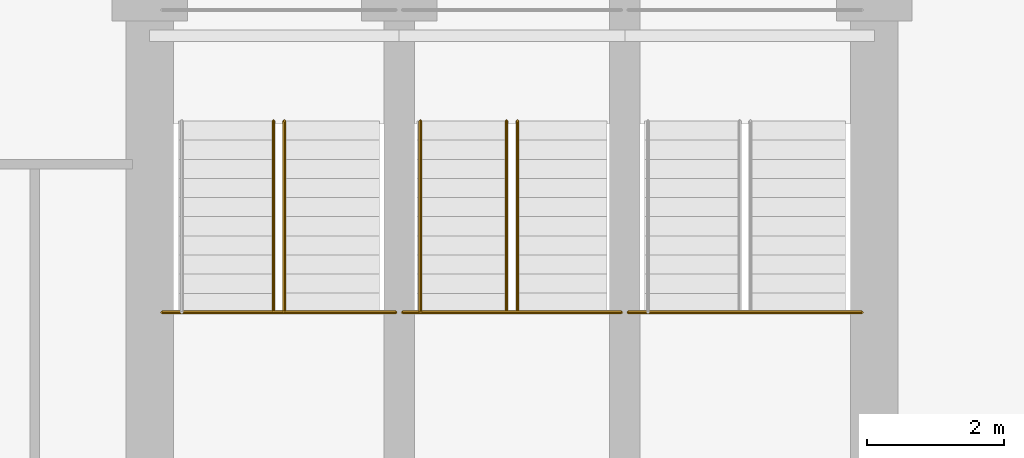
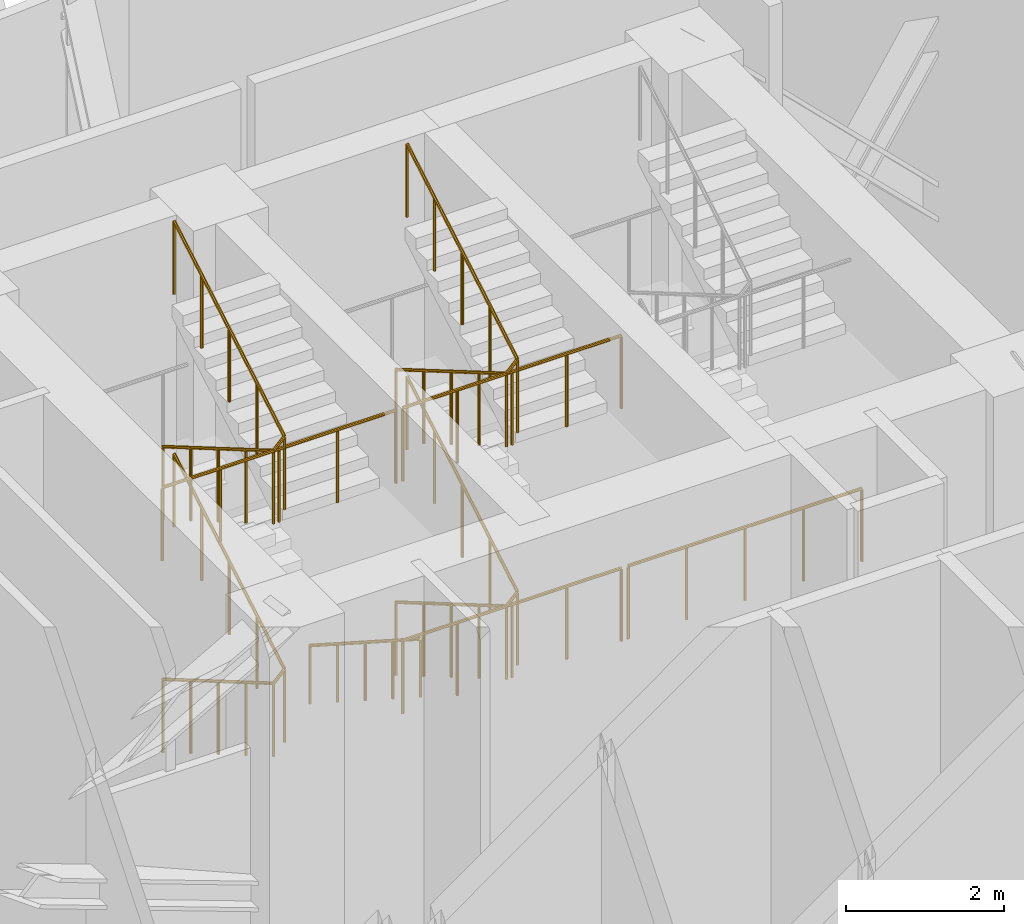
# One storey, part 16 of 19: 9 railings.
"""IFC4 building model written with IfcOpenShell, lengths in metres."""

import ifcopenshell
import ifcopenshell.guid

model = None  # the IFC model being written
_history = None  # IfcOwnerHistory: only IFC2X3 demands one
_inside = {}  # id of a spatial element -> (the spatial element, [elements in it])
_under = {}  # id of a project, library or spatial element -> (it, [spatial elements below it])
_declared = {}  # id of a project -> (the project, [libraries it declares])
_typed = {}  # id of a type object -> (the type object, [elements of that type])
_made_of = {}  # id of a material, layer set ... -> (it, [elements and type objects made of it])


def new_model(schema):
    """Start an empty IFC model of exactly this schema.

    Asked for "IFC4X3", IfcOpenShell would pick the latest addendum, in which some entities
    have other attributes; the version numbers below select the first issue.
    IFC2X3 requires an IfcOwnerHistory on every rooted entity: one is made here for all.
    """
    global model, _history
    if schema == "IFC4X3":
        model = ifcopenshell.file(schema_version=(4, 3, 0, 0))
    else:
        model = ifcopenshell.file(schema=schema)
    _inside.clear()
    _under.clear()
    _declared.clear()
    _typed.clear()
    _made_of.clear()
    _history = None
    if model.schema == "IFC2X3":
        org = make("IfcOrganization", Name="unknown")
        user = make(
            "IfcPersonAndOrganization",
            ThePerson=make("IfcPerson", FamilyName="unknown"),
            TheOrganization=org,
        )
        app = make(
            "IfcApplication",
            ApplicationDeveloper=org,
            Version="unknown",
            ApplicationFullName="unknown",
            ApplicationIdentifier="unknown",
        )
        _history = make(
            "IfcOwnerHistory",
            OwningUser=user,
            OwningApplication=app,
            ChangeAction="ADDED",
            CreationDate=0,
        )
    return model


def make(cls, **values):
    """One entity of the class cls with the attributes given. An attribute that is None is left unset."""
    return model.create_entity(
        cls, **{name: value for name, value in values.items() if value is not None}
    )


def rooted(cls, **values):
    """An entity with a GlobalId (a new one), such as an element, a storey or a relation."""
    return make(cls, GlobalId=ifcopenshell.guid.new(), OwnerHistory=_history, **values)


def si_unit(unit_type, name, prefix=None):
    """IfcSIUnit, for example si_unit("LENGTHUNIT", "METRE", prefix="MILLI")."""
    return make("IfcSIUnit", UnitType=unit_type, Prefix=prefix, Name=name)


def assignment(units):
    """IfcUnitAssignment: the units of a project."""
    return None if units is None else make("IfcUnitAssignment", Units=units)


def point(xyz):
    """IfcCartesianPoint."""
    return None if xyz is None else make("IfcCartesianPoint", Coordinates=xyz)


def direction(xyz):
    """IfcDirection."""
    return None if xyz is None else make("IfcDirection", DirectionRatios=xyz)


def frame(location, z_axis=None, x_axis=None):
    """IfcAxis2Placement3D, a coordinate frame: its origin and axes. An axis left out is left unset."""
    return make(
        "IfcAxis2Placement3D",
        Location=point(location),
        Axis=direction(z_axis),
        RefDirection=direction(x_axis),
    )


def origin():
    """The frame at (0, 0, 0) with its axes left unset."""
    return frame((0.0, 0.0, 0.0))


def place(relative_to, where):
    """IfcLocalPlacement: puts the frame where relative to a parent placement (None: the world)."""
    return make(
        "IfcLocalPlacement", PlacementRelTo=relative_to, RelativePlacement=where
    )


def context(
    kind, dimensions, precision=None, world=None, true_north=None, identifier=None
):
    """IfcGeometricRepresentationContext, for example the 3D "Model" context."""
    return make(
        "IfcGeometricRepresentationContext",
        ContextIdentifier=identifier,
        ContextType=kind,
        CoordinateSpaceDimension=dimensions,
        Precision=precision,
        WorldCoordinateSystem=world,
        TrueNorth=true_north,
    )


def subcontext(parent, identifier, kind, view, scale=None):
    """IfcGeometricRepresentationSubContext, for example "Body" below "Model"."""
    return make(
        "IfcGeometricRepresentationSubContext",
        ContextIdentifier=identifier,
        ContextType=kind,
        ParentContext=parent,
        TargetScale=scale,
        TargetView=view,
    )


def project(units=None, contexts=None):
    """IfcProject with its units and contexts."""
    return rooted(
        "IfcProject",
        Name="project",
        RepresentationContexts=contexts,
        UnitsInContext=assignment(units),
    )


def spatial(cls, under=None, at=None, **own):
    """A site, building, storey or space (cls), placed at a placement, below another one or the project."""
    s = rooted(cls, ObjectPlacement=at, **own)
    if under is not None:
        _under.setdefault(under.id(), (under, []))[1].append(s)
    return s


def polyline(points):
    """IfcPolyline through the points."""
    return make("IfcPolyline", Points=[point(p) for p in points])


def outline(outer, holes=None, kind="AREA"):
    """IfcArbitraryClosedProfileDef: a profile drawn as a closed curve; with holes, ...WithVoids."""
    if holes is None:
        return make("IfcArbitraryClosedProfileDef", ProfileType=kind, OuterCurve=outer)
    return make(
        "IfcArbitraryProfileDefWithVoids",
        ProfileType=kind,
        OuterCurve=outer,
        InnerCurves=holes,
    )


def extrude(swept, where, along, depth):
    """IfcExtrudedAreaSolid: the profile swept, set in the frame where, extruded along a direction by depth."""
    return make(
        "IfcExtrudedAreaSolid",
        SweptArea=swept,
        Position=where,
        ExtrudedDirection=direction(along),
        Depth=depth,
    )


def shape(context_of_items, identifier, shape_type, items):
    """IfcShapeRepresentation: the items that make up one representation, for example the "Body"."""
    return make(
        "IfcShapeRepresentation",
        ContextOfItems=context_of_items,
        RepresentationIdentifier=identifier,
        RepresentationType=shape_type,
        Items=items,
    )


def material(Name=None, Category=None):
    """IfcMaterial."""
    return make("IfcMaterial", Name=Name, Category=Category)


def made_of(thing, what):
    """Note that an element or type object is made of a material, layer set ...; save() writes the relation."""
    if what is not None:
        _made_of.setdefault(what.id(), (what, []))[1].append(thing)
    return thing


def type_object(cls, material=None, **own):
    """A type object (cls), such as IfcWallType, which elements share."""
    return made_of(rooted(cls, **own), material)


def element(
    cls,
    number,
    at=None,
    inside=None,
    cuts=None,
    type_object=None,
    material=None,
    context=None,
    identifier="Body",
    shape_type=None,
    held_by="IfcProductDefinitionShape",
    body=None,
    shapes=None,
    **own,
):
    """One element of the class cls, such as IfcWall. Its Tag is "e" and its number.

    at: its placement. inside: the storey or other place that contains it. cuts: it is an
    opening in that element (IfcRelVoidsElement). A single representation is given by context,
    identifier, shape_type and body (its items); several are given by shapes. held_by: the class
    of the entity that holds the representations. save() writes the other relations.
    """
    e = rooted(cls, Tag="e%d" % number, ObjectPlacement=at, **own)
    if body is not None:
        shapes = [shape(context, identifier, shape_type, body)]
    if shapes is not None:
        e.Representation = make(held_by, Representations=shapes)
    if inside is not None:
        _inside.setdefault(inside.id(), (inside, []))[1].append(e)
    if cuts is not None:
        rooted(
            "IfcRelVoidsElement", RelatingBuildingElement=cuts, RelatedOpeningElement=e
        )
    if type_object is not None:
        _typed.setdefault(type_object.id(), (type_object, []))[1].append(e)
    return made_of(e, material)


def aggregate(whole, parts):
    """IfcRelAggregates: a whole, such as a stair, and the parts it consists of."""
    return rooted("IfcRelAggregates", RelatingObject=whole, RelatedObjects=parts)


def save(model, path):
    """Write the relations noted so far, then the file.

    IfcRelAggregates (storeys below a building ...), IfcRelContainedInSpatialStructure (elements
    in a storey), IfcRelDefinesByType, IfcRelAssociatesMaterial and IfcRelDeclares: one each for
    every whole, place, type object, material and project.
    """
    for whole, parts in _under.values():
        aggregate(whole, parts)
    for where, things in _inside.values():
        rooted(
            "IfcRelContainedInSpatialStructure",
            RelatedElements=things,
            RelatingStructure=where,
        )
    for kind, things in _typed.values():
        rooted("IfcRelDefinesByType", RelatedObjects=things, RelatingType=kind)
    for what, things in _made_of.values():
        rooted("IfcRelAssociatesMaterial", RelatedObjects=things, RelatingMaterial=what)
    for by, libraries in _declared.values():
        rooted("IfcRelDeclares", RelatingContext=by, RelatedDefinitions=libraries)
    model.write(path)


model = new_model("IFC4")

# Units and contexts
model_context = context("Model", 3, precision=1e-05, world=origin(), true_north=direction((0.0, 1.0)))
body_context = subcontext(model_context, "Body", "Model", "MODEL_VIEW")
ifc_project = project(units=[si_unit("LENGTHUNIT", "METRE"), si_unit("AREAUNIT", "SQUARE_METRE"), si_unit("VOLUMEUNIT", "CUBIC_METRE"), si_unit("PLANEANGLEUNIT", "RADIAN"), si_unit("MASSUNIT", "GRAM", prefix="KILO")], contexts=[model_context])

# Site, building, storey
site_placement = place(None, origin())
site = spatial("IfcSite", under=ifc_project, at=site_placement, CompositionType="ELEMENT")
building_placement = place(site_placement, origin())
building = spatial("IfcBuilding", under=site, at=building_placement, Name="Nuhasar Tower", CompositionType="ELEMENT")
storey_placement = place(building_placement, frame((0.0, 0.0, 106.050048828125)))
storey = spatial("IfcBuildingStorey", under=building, at=storey_placement, Name="L25", CompositionType="ELEMENT", Elevation=106.050048828125)

# Railings
ifc_material_1 = material(Name="Steel S355", Category="steel")
railing_type_1 = type_object("IfcRailingType", Name="RLG-STAIR-GUARD-1150", PredefinedType="GUARDRAIL", material=ifc_material_1)
railing_1_placement = place(storey_placement, frame((35.510009765625, 35.284912109375, 0.1640625)))
element("IfcRailing", 1, at=railing_1_placement, inside=storey, type_object=railing_type_1, Name="L25 Stair ST-01 Guardrail SLT1", PredefinedType="GUARDRAIL", context=body_context, shape_type="SweptSolid", body=[
    extrude(outline(polyline([(0.024169921875, 0.0), (0.01708984375, 0.01708984375), (0.0, 0.024169921875), (-0.01708984375, 0.01708984375), (-0.024169921875, 0.0), (-0.01708984375, -0.01708984375), (0.0, -0.024169921875), (0.01708984375, -0.01708984375), (0.024169921875, 0.0)])), frame((0.0, 0.0, 1.1259765625), z_axis=(0.0, -0.863407295559, 0.504507524201), x_axis=(1.0, 0.0, 0.0)), (0.0, 0.0, 1.0), 3.24267578125),
    extrude(outline(polyline([(0.024169921875, 0.0), (0.01708984375, 0.01708984375), (0.0, 0.024169921875), (-0.01708984375, 0.01708984375), (-0.024169921875, 0.0), (-0.01708984375, -0.01708984375), (0.0, -0.024169921875), (0.01708984375, -0.01708984375), (0.024169921875, 0.0)])), frame((0.0, -2.7998046875, 2.76171875), z_axis=(0.69852372298, 0.0, 0.715586897892), x_axis=(0.0, 1.0, 0.0)), (0.0, 0.0, 1.0), 0.22900390625),
    extrude(outline(polyline([(0.024169921875, 0.0), (0.01708984375, 0.01708984375), (0.0, 0.024169921875), (-0.01708984375, 0.01708984375), (-0.024169921875, 0.0), (-0.01708984375, -0.01708984375), (0.0, -0.024169921875), (0.01708984375, -0.01708984375), (0.024169921875, 0.0)])), frame((0.159912109375, -2.7998046875, 2.92578125), z_axis=(0.0, 0.863407295559, 0.504507524201), x_axis=(-1.0, 0.0, 0.0)), (0.0, 0.0, 1.0), 3.24267578125),
    extrude(outline(polyline([(0.02099609375, 0.0), (0.014892578125, 0.014892578125), (0.0, 0.02099609375), (-0.014892578125, 0.014892578125), (-0.02099609375, 0.0), (-0.014892578125, -0.014892578125), (0.0, -0.02099609375), (0.014892578125, -0.014892578125), (0.02099609375, 0.0)])), origin(), (0.0, 0.0, 1.0), 1.101806640625),
    extrude(outline(polyline([(0.02099609375, 0.0), (0.014892578125, 0.014892578125), (0.0, 0.02099609375), (-0.014892578125, 0.014892578125), (-0.02099609375, 0.0), (-0.014892578125, -0.014892578125), (0.0, -0.02099609375), (0.014892578125, -0.014892578125), (0.02099609375, 0.0)])), frame((0.0, -0.699951171875, 0.408935546875)), (0.0, 0.0, 1.0), 1.101806640625),
    extrude(outline(polyline([(0.02099609375, 0.0), (0.014892578125, 0.014892578125), (0.0, 0.02099609375), (-0.014892578125, 0.014892578125), (-0.02099609375, 0.0), (-0.014892578125, -0.014892578125), (0.0, -0.02099609375), (0.014892578125, -0.014892578125), (0.02099609375, 0.0)])), frame((0.0, -1.39990234375, 0.81787109375)), (0.0, 0.0, 1.0), 1.101806640625),
    extrude(outline(polyline([(0.02099609375, 0.0), (0.014892578125, 0.014892578125), (0.0, 0.02099609375), (-0.014892578125, 0.014892578125), (-0.02099609375, 0.0), (-0.014892578125, -0.014892578125), (0.0, -0.02099609375), (0.014892578125, -0.014892578125), (0.02099609375, 0.0)])), frame((0.0, -2.099853515625, 1.22705078125)), (0.0, 0.0, 1.0), 1.101806640625),
    extrude(outline(polyline([(0.02099609375, 0.0), (0.014892578125, 0.014892578125), (0.0, 0.02099609375), (-0.014892578125, 0.014892578125), (-0.02099609375, 0.0), (-0.014892578125, -0.014892578125), (0.0, -0.02099609375), (0.014892578125, -0.014892578125), (0.02099609375, 0.0)])), frame((0.0, -2.7998046875, 1.635986328125)), (0.0, 0.0, 1.0), 1.101806640625),
    extrude(outline(polyline([(0.02099609375, 0.0), (0.014892578125, 0.014892578125), (0.0, 0.02099609375), (-0.014892578125, 0.014892578125), (-0.02099609375, 0.0), (-0.014892578125, -0.014892578125), (0.0, -0.02099609375), (0.014892578125, -0.014892578125), (0.02099609375, 0.0)])), frame((0.159912109375, -2.7998046875, 1.7998046875)), (0.0, 0.0, 1.0), 1.101806640625),
    extrude(outline(polyline([(0.02099609375, 0.0), (0.014892578125, 0.014892578125), (0.0, 0.02099609375), (-0.014892578125, 0.014892578125), (-0.02099609375, 0.0), (-0.014892578125, -0.014892578125), (0.0, -0.02099609375), (0.014892578125, -0.014892578125), (0.02099609375, 0.0)])), frame((0.159912109375, -2.099853515625, 2.208740234375)), (0.0, 0.0, 1.0), 1.101806640625),
    extrude(outline(polyline([(0.02099609375, 0.0), (0.014892578125, 0.014892578125), (0.0, 0.02099609375), (-0.014892578125, 0.014892578125), (-0.02099609375, 0.0), (-0.014892578125, -0.014892578125), (0.0, -0.02099609375), (0.014892578125, -0.014892578125), (0.02099609375, 0.0)])), frame((0.159912109375, -1.39990234375, 2.61767578125)), (0.0, 0.0, 1.0), 1.101806640625),
    extrude(outline(polyline([(0.02099609375, 0.0), (0.014892578125, 0.014892578125), (0.0, 0.02099609375), (-0.014892578125, 0.014892578125), (-0.02099609375, 0.0), (-0.014892578125, -0.014892578125), (0.0, -0.02099609375), (0.014892578125, -0.014892578125), (0.02099609375, 0.0)])), frame((0.159912109375, -0.699951171875, 3.02685546875)), (0.0, 0.0, 1.0), 1.101806640625),
    extrude(outline(polyline([(0.02099609375, 0.0), (0.014892578125, 0.014892578125), (0.0, 0.02099609375), (-0.014892578125, 0.014892578125), (-0.02099609375, 0.0), (-0.014892578125, -0.014892578125), (0.0, -0.02099609375), (0.014892578125, -0.014892578125), (0.02099609375, 0.0)])), frame((0.159912109375, 0.0, 3.435791015625)), (0.0, 0.0, 1.0), 1.101806640625),
])
railing_2_placement = place(storey_placement, frame((33.8798828125, 32.485107421875, 5.39990234375)))
element("IfcRailing", 2, at=railing_2_placement, inside=storey, type_object=railing_type_1, Name="L25 Stair ST-01 Guardrail LNDS2", PredefinedType="GUARDRAIL", context=body_context, shape_type="SweptSolid", body=[
    extrude(outline(polyline([(0.024169921875, 0.0), (0.01708984375, 0.01708984375), (0.0, 0.024169921875), (-0.01708984375, 0.01708984375), (-0.024169921875, 0.0), (-0.01708984375, -0.01708984375), (0.0, -0.024169921875), (0.01708984375, -0.01708984375), (0.024169921875, 0.0)])), frame((0.0, 0.0, 1.1259765625), z_axis=(1.0, 0.0, 0.0), x_axis=(0.0, 1.0, 0.0)), (0.0, 0.0, 1.0), 3.420166015625),
    extrude(outline(polyline([(0.02099609375, 0.0), (0.014892578125, 0.014892578125), (0.0, 0.02099609375), (-0.014892578125, 0.014892578125), (-0.02099609375, 0.0), (-0.014892578125, -0.014892578125), (0.0, -0.02099609375), (0.014892578125, -0.014892578125), (0.02099609375, 0.0)])), origin(), (0.0, 0.0, 1.0), 1.101806640625),
    extrude(outline(polyline([(0.02099609375, 0.0), (0.014892578125, 0.014892578125), (0.0, 0.02099609375), (-0.014892578125, 0.014892578125), (-0.02099609375, 0.0), (-0.014892578125, -0.014892578125), (0.0, -0.02099609375), (0.014892578125, -0.014892578125), (0.02099609375, 0.0)])), frame((0.85498046875, 0.0, 0.0)), (0.0, 0.0, 1.0), 1.101806640625),
    extrude(outline(polyline([(0.02099609375, 0.0), (0.014892578125, 0.014892578125), (0.0, 0.02099609375), (-0.014892578125, 0.014892578125), (-0.02099609375, 0.0), (-0.014892578125, -0.014892578125), (0.0, -0.02099609375), (0.014892578125, -0.014892578125), (0.02099609375, 0.0)])), frame((1.7099609375, 0.0, 0.0)), (0.0, 0.0, 1.0), 1.101806640625),
    extrude(outline(polyline([(0.02099609375, 0.0), (0.014892578125, 0.014892578125), (0.0, 0.02099609375), (-0.014892578125, 0.014892578125), (-0.02099609375, 0.0), (-0.014892578125, -0.014892578125), (0.0, -0.02099609375), (0.014892578125, -0.014892578125), (0.02099609375, 0.0)])), frame((2.565185546875, 0.0, 0.0)), (0.0, 0.0, 1.0), 1.101806640625),
    extrude(outline(polyline([(0.02099609375, 0.0), (0.014892578125, 0.014892578125), (0.0, 0.02099609375), (-0.014892578125, 0.014892578125), (-0.02099609375, 0.0), (-0.014892578125, -0.014892578125), (0.0, -0.02099609375), (0.014892578125, -0.014892578125), (0.02099609375, 0.0)])), frame((3.420166015625, 0.0, 0.0)), (0.0, 0.0, 1.0), 1.101806640625),
])
railing_3_placement = place(storey_placement, frame((35.510009765625, 35.284912109375, 3.763916015625)))
element("IfcRailing", 3, at=railing_3_placement, inside=storey, type_object=railing_type_1, Name="L25 Stair ST-01 Guardrail SLT2", PredefinedType="GUARDRAIL", context=body_context, shape_type="SweptSolid", body=[
    extrude(outline(polyline([(0.024169921875, 0.0), (0.01708984375, 0.01708984375), (0.0, 0.024169921875), (-0.01708984375, 0.01708984375), (-0.024169921875, 0.0), (-0.01708984375, -0.01708984375), (0.0, -0.024169921875), (0.01708984375, -0.01708984375), (0.024169921875, 0.0)])), frame((0.0, 0.0, 1.1259765625), z_axis=(0.0, -0.863407295559, 0.504507524201), x_axis=(1.0, 0.0, 0.0)), (0.0, 0.0, 1.0), 3.24267578125),
    extrude(outline(polyline([(0.024169921875, 0.0), (0.01708984375, 0.01708984375), (0.0, 0.024169921875), (-0.01708984375, 0.01708984375), (-0.024169921875, 0.0), (-0.01708984375, -0.01708984375), (0.0, -0.024169921875), (0.01708984375, -0.01708984375), (0.024169921875, 0.0)])), frame((0.0, -2.7998046875, 2.76171875), z_axis=(0.697990867133, 0.0, 0.716106660631), x_axis=(0.0, 1.0, 0.0)), (0.0, 0.0, 1.0), 0.22900390625),
    extrude(outline(polyline([(0.024169921875, 0.0), (0.01708984375, 0.01708984375), (0.0, 0.024169921875), (-0.01708984375, 0.01708984375), (-0.024169921875, 0.0), (-0.01708984375, -0.01708984375), (0.0, -0.024169921875), (0.01708984375, -0.01708984375), (0.024169921875, 0.0)])), frame((0.159912109375, -2.7998046875, 2.92578125), z_axis=(0.0, 0.863407295559, 0.504507524201), x_axis=(-1.0, 0.0, 0.0)), (0.0, 0.0, 1.0), 3.24267578125),
    extrude(outline(polyline([(0.02099609375, 0.0), (0.014892578125, 0.014892578125), (0.0, 0.02099609375), (-0.014892578125, 0.014892578125), (-0.02099609375, 0.0), (-0.014892578125, -0.014892578125), (0.0, -0.02099609375), (0.014892578125, -0.014892578125), (0.02099609375, 0.0)])), origin(), (0.0, 0.0, 1.0), 1.101806640625),
    extrude(outline(polyline([(0.02099609375, 0.0), (0.014892578125, 0.014892578125), (0.0, 0.02099609375), (-0.014892578125, 0.014892578125), (-0.02099609375, 0.0), (-0.014892578125, -0.014892578125), (0.0, -0.02099609375), (0.014892578125, -0.014892578125), (0.02099609375, 0.0)])), frame((0.0, -0.699951171875, 0.408935546875)), (0.0, 0.0, 1.0), 1.101806640625),
    extrude(outline(polyline([(0.02099609375, 0.0), (0.014892578125, 0.014892578125), (0.0, 0.02099609375), (-0.014892578125, 0.014892578125), (-0.02099609375, 0.0), (-0.014892578125, -0.014892578125), (0.0, -0.02099609375), (0.014892578125, -0.014892578125), (0.02099609375, 0.0)])), frame((0.0, -1.39990234375, 0.81787109375)), (0.0, 0.0, 1.0), 1.101806640625),
    extrude(outline(polyline([(0.02099609375, 0.0), (0.014892578125, 0.014892578125), (0.0, 0.02099609375), (-0.014892578125, 0.014892578125), (-0.02099609375, 0.0), (-0.014892578125, -0.014892578125), (0.0, -0.02099609375), (0.014892578125, -0.014892578125), (0.02099609375, 0.0)])), frame((0.0, -2.099853515625, 1.22705078125)), (0.0, 0.0, 1.0), 1.101806640625),
    extrude(outline(polyline([(0.02099609375, 0.0), (0.014892578125, 0.014892578125), (0.0, 0.02099609375), (-0.014892578125, 0.014892578125), (-0.02099609375, 0.0), (-0.014892578125, -0.014892578125), (0.0, -0.02099609375), (0.014892578125, -0.014892578125), (0.02099609375, 0.0)])), frame((0.0, -2.7998046875, 1.635986328125)), (0.0, 0.0, 1.0), 1.101806640625),
    extrude(outline(polyline([(0.02099609375, 0.0), (0.014892578125, 0.014892578125), (0.0, 0.02099609375), (-0.014892578125, 0.014892578125), (-0.02099609375, 0.0), (-0.014892578125, -0.014892578125), (0.0, -0.02099609375), (0.014892578125, -0.014892578125), (0.02099609375, 0.0)])), frame((0.159912109375, -2.7998046875, 1.800048828125)), (0.0, 0.0, 1.0), 1.101806640625),
    extrude(outline(polyline([(0.02099609375, 0.0), (0.014892578125, 0.014892578125), (0.0, 0.02099609375), (-0.014892578125, 0.014892578125), (-0.02099609375, 0.0), (-0.014892578125, -0.014892578125), (0.0, -0.02099609375), (0.014892578125, -0.014892578125), (0.02099609375, 0.0)])), frame((0.159912109375, -2.099853515625, 2.208984375)), (0.0, 0.0, 1.0), 1.101806640625),
    extrude(outline(polyline([(0.02099609375, 0.0), (0.014892578125, 0.014892578125), (0.0, 0.02099609375), (-0.014892578125, 0.014892578125), (-0.02099609375, 0.0), (-0.014892578125, -0.014892578125), (0.0, -0.02099609375), (0.014892578125, -0.014892578125), (0.02099609375, 0.0)])), frame((0.159912109375, -1.39990234375, 2.6181640625)), (0.0, 0.0, 1.0), 1.101806640625),
    extrude(outline(polyline([(0.02099609375, 0.0), (0.014892578125, 0.014892578125), (0.0, 0.02099609375), (-0.014892578125, 0.014892578125), (-0.02099609375, 0.0), (-0.014892578125, -0.014892578125), (0.0, -0.02099609375), (0.014892578125, -0.014892578125), (0.02099609375, 0.0)])), frame((0.159912109375, -0.699951171875, 3.027099609375)), (0.0, 0.0, 1.0), 1.101806640625),
    extrude(outline(polyline([(0.02099609375, 0.0), (0.014892578125, 0.014892578125), (0.0, 0.02099609375), (-0.014892578125, 0.014892578125), (-0.02099609375, 0.0), (-0.014892578125, -0.014892578125), (0.0, -0.02099609375), (0.014892578125, -0.014892578125), (0.02099609375, 0.0)])), frame((0.159912109375, 0.0, 3.43603515625)), (0.0, 0.0, 1.0), 1.101806640625),
])
railing_4_placement = place(storey_placement, frame((37.39990234375, 32.485107421875, 1.800048828125)))
element("IfcRailing", 4, at=railing_4_placement, inside=storey, type_object=railing_type_1, Name="L25 Stair ST-03 Guardrail LNDS1", PredefinedType="GUARDRAIL", context=body_context, shape_type="SweptSolid", body=[
    extrude(outline(polyline([(0.024169921875, 0.0), (0.01708984375, 0.01708984375), (0.0, 0.024169921875), (-0.01708984375, 0.01708984375), (-0.024169921875, 0.0), (-0.01708984375, -0.01708984375), (0.0, -0.024169921875), (0.01708984375, -0.01708984375), (0.024169921875, 0.0)])), frame((0.0, 0.0, 1.1259765625), z_axis=(1.0, 0.0, 0.0), x_axis=(0.0, 1.0, 0.0)), (0.0, 0.0, 1.0), 3.2001953125),
    extrude(outline(polyline([(0.02099609375, 0.0), (0.014892578125, 0.014892578125), (0.0, 0.02099609375), (-0.014892578125, 0.014892578125), (-0.02099609375, 0.0), (-0.014892578125, -0.014892578125), (0.0, -0.02099609375), (0.014892578125, -0.014892578125), (0.02099609375, 0.0)])), origin(), (0.0, 0.0, 1.0), 1.101806640625),
    extrude(outline(polyline([(0.02099609375, 0.0), (0.014892578125, 0.014892578125), (0.0, 0.02099609375), (-0.014892578125, 0.014892578125), (-0.02099609375, 0.0), (-0.014892578125, -0.014892578125), (0.0, -0.02099609375), (0.014892578125, -0.014892578125), (0.02099609375, 0.0)])), frame((0.800048828125, 0.0, 0.0)), (0.0, 0.0, 1.0), 1.101806640625),
    extrude(outline(polyline([(0.02099609375, 0.0), (0.014892578125, 0.014892578125), (0.0, 0.02099609375), (-0.014892578125, 0.014892578125), (-0.02099609375, 0.0), (-0.014892578125, -0.014892578125), (0.0, -0.02099609375), (0.014892578125, -0.014892578125), (0.02099609375, 0.0)])), frame((1.60009765625, 0.0, 0.0)), (0.0, 0.0, 1.0), 1.101806640625),
    extrude(outline(polyline([(0.02099609375, 0.0), (0.014892578125, 0.014892578125), (0.0, 0.02099609375), (-0.014892578125, 0.014892578125), (-0.02099609375, 0.0), (-0.014892578125, -0.014892578125), (0.0, -0.02099609375), (0.014892578125, -0.014892578125), (0.02099609375, 0.0)])), frame((2.400146484375, 0.0, 0.0)), (0.0, 0.0, 1.0), 1.101806640625),
    extrude(outline(polyline([(0.02099609375, 0.0), (0.014892578125, 0.014892578125), (0.0, 0.02099609375), (-0.014892578125, 0.014892578125), (-0.02099609375, 0.0), (-0.014892578125, -0.014892578125), (0.0, -0.02099609375), (0.014892578125, -0.014892578125), (0.02099609375, 0.0)])), frame((3.2001953125, 0.0, 0.0)), (0.0, 0.0, 1.0), 1.101806640625),
])
railing_5_placement = place(storey_placement, frame((38.919921875, 35.284912109375, 0.1640625)))
element("IfcRailing", 5, at=railing_5_placement, inside=storey, type_object=railing_type_1, Name="L25 Stair ST-03 Guardrail SLT1", PredefinedType="GUARDRAIL", context=body_context, shape_type="SweptSolid", body=[
    extrude(outline(polyline([(0.024169921875, 0.0), (0.01708984375, 0.01708984375), (0.0, 0.024169921875), (-0.01708984375, 0.01708984375), (-0.024169921875, 0.0), (-0.01708984375, -0.01708984375), (0.0, -0.024169921875), (0.01708984375, -0.01708984375), (0.024169921875, 0.0)])), frame((0.0, 0.0, 1.1259765625), z_axis=(0.0, -0.863407295559, 0.504507524201), x_axis=(1.0, 0.0, 0.0)), (0.0, 0.0, 1.0), 3.24267578125),
    extrude(outline(polyline([(0.024169921875, 0.0), (0.01708984375, 0.01708984375), (0.0, 0.024169921875), (-0.01708984375, 0.01708984375), (-0.024169921875, 0.0), (-0.01708984375, -0.01708984375), (0.0, -0.024169921875), (0.01708984375, -0.01708984375), (0.024169921875, 0.0)])), frame((0.0, -2.7998046875, 2.76171875), z_axis=(0.699069203719, 0.0, 0.715054017828), x_axis=(0.0, 1.0, 0.0)), (0.0, 0.0, 1.0), 0.22900390625),
    extrude(outline(polyline([(0.024169921875, 0.0), (0.01708984375, 0.01708984375), (0.0, 0.024169921875), (-0.01708984375, 0.01708984375), (-0.024169921875, 0.0), (-0.01708984375, -0.01708984375), (0.0, -0.024169921875), (0.01708984375, -0.01708984375), (0.024169921875, 0.0)])), frame((0.16015625, -2.7998046875, 2.92578125), z_axis=(0.0, 0.863407295559, 0.504507524201), x_axis=(-1.0, 0.0, 0.0)), (0.0, 0.0, 1.0), 3.24267578125),
    extrude(outline(polyline([(0.02099609375, 0.0), (0.014892578125, 0.014892578125), (0.0, 0.02099609375), (-0.014892578125, 0.014892578125), (-0.02099609375, 0.0), (-0.014892578125, -0.014892578125), (0.0, -0.02099609375), (0.014892578125, -0.014892578125), (0.02099609375, 0.0)])), origin(), (0.0, 0.0, 1.0), 1.101806640625),
    extrude(outline(polyline([(0.02099609375, 0.0), (0.014892578125, 0.014892578125), (0.0, 0.02099609375), (-0.014892578125, 0.014892578125), (-0.02099609375, 0.0), (-0.014892578125, -0.014892578125), (0.0, -0.02099609375), (0.014892578125, -0.014892578125), (0.02099609375, 0.0)])), frame((0.0, -0.699951171875, 0.408935546875)), (0.0, 0.0, 1.0), 1.101806640625),
    extrude(outline(polyline([(0.02099609375, 0.0), (0.014892578125, 0.014892578125), (0.0, 0.02099609375), (-0.014892578125, 0.014892578125), (-0.02099609375, 0.0), (-0.014892578125, -0.014892578125), (0.0, -0.02099609375), (0.014892578125, -0.014892578125), (0.02099609375, 0.0)])), frame((0.0, -1.39990234375, 0.81787109375)), (0.0, 0.0, 1.0), 1.101806640625),
    extrude(outline(polyline([(0.02099609375, 0.0), (0.014892578125, 0.014892578125), (0.0, 0.02099609375), (-0.014892578125, 0.014892578125), (-0.02099609375, 0.0), (-0.014892578125, -0.014892578125), (0.0, -0.02099609375), (0.014892578125, -0.014892578125), (0.02099609375, 0.0)])), frame((0.0, -2.099853515625, 1.22705078125)), (0.0, 0.0, 1.0), 1.101806640625),
    extrude(outline(polyline([(0.02099609375, 0.0), (0.014892578125, 0.014892578125), (0.0, 0.02099609375), (-0.014892578125, 0.014892578125), (-0.02099609375, 0.0), (-0.014892578125, -0.014892578125), (0.0, -0.02099609375), (0.014892578125, -0.014892578125), (0.02099609375, 0.0)])), frame((0.0, -2.7998046875, 1.635986328125)), (0.0, 0.0, 1.0), 1.101806640625),
    extrude(outline(polyline([(0.02099609375, 0.0), (0.014892578125, 0.014892578125), (0.0, 0.02099609375), (-0.014892578125, 0.014892578125), (-0.02099609375, 0.0), (-0.014892578125, -0.014892578125), (0.0, -0.02099609375), (0.014892578125, -0.014892578125), (0.02099609375, 0.0)])), frame((0.16015625, -2.7998046875, 1.7998046875)), (0.0, 0.0, 1.0), 1.101806640625),
    extrude(outline(polyline([(0.02099609375, 0.0), (0.014892578125, 0.014892578125), (0.0, 0.02099609375), (-0.014892578125, 0.014892578125), (-0.02099609375, 0.0), (-0.014892578125, -0.014892578125), (0.0, -0.02099609375), (0.014892578125, -0.014892578125), (0.02099609375, 0.0)])), frame((0.16015625, -2.099853515625, 2.208740234375)), (0.0, 0.0, 1.0), 1.101806640625),
    extrude(outline(polyline([(0.02099609375, 0.0), (0.014892578125, 0.014892578125), (0.0, 0.02099609375), (-0.014892578125, 0.014892578125), (-0.02099609375, 0.0), (-0.014892578125, -0.014892578125), (0.0, -0.02099609375), (0.014892578125, -0.014892578125), (0.02099609375, 0.0)])), frame((0.16015625, -1.39990234375, 2.61767578125)), (0.0, 0.0, 1.0), 1.101806640625),
    extrude(outline(polyline([(0.02099609375, 0.0), (0.014892578125, 0.014892578125), (0.0, 0.02099609375), (-0.014892578125, 0.014892578125), (-0.02099609375, 0.0), (-0.014892578125, -0.014892578125), (0.0, -0.02099609375), (0.014892578125, -0.014892578125), (0.02099609375, 0.0)])), frame((0.16015625, -0.699951171875, 3.02685546875)), (0.0, 0.0, 1.0), 1.101806640625),
    extrude(outline(polyline([(0.02099609375, 0.0), (0.014892578125, 0.014892578125), (0.0, 0.02099609375), (-0.014892578125, 0.014892578125), (-0.02099609375, 0.0), (-0.014892578125, -0.014892578125), (0.0, -0.02099609375), (0.014892578125, -0.014892578125), (0.02099609375, 0.0)])), frame((0.16015625, 0.0, 3.435791015625)), (0.0, 0.0, 1.0), 1.101806640625),
])
railing_6_placement = place(storey_placement, frame((37.39990234375, 32.485107421875, 5.39990234375)))
element("IfcRailing", 6, at=railing_6_placement, inside=storey, type_object=railing_type_1, Name="L25 Stair ST-03 Guardrail LNDS2", PredefinedType="GUARDRAIL", context=body_context, shape_type="SweptSolid", body=[
    extrude(outline(polyline([(0.024169921875, 0.0), (0.01708984375, 0.01708984375), (0.0, 0.024169921875), (-0.01708984375, 0.01708984375), (-0.024169921875, 0.0), (-0.01708984375, -0.01708984375), (0.0, -0.024169921875), (0.01708984375, -0.01708984375), (0.024169921875, 0.0)])), frame((0.0, 0.0, 1.1259765625), z_axis=(1.0, 0.0, 0.0), x_axis=(0.0, 1.0, 0.0)), (0.0, 0.0, 1.0), 3.2001953125),
    extrude(outline(polyline([(0.02099609375, 0.0), (0.014892578125, 0.014892578125), (0.0, 0.02099609375), (-0.014892578125, 0.014892578125), (-0.02099609375, 0.0), (-0.014892578125, -0.014892578125), (0.0, -0.02099609375), (0.014892578125, -0.014892578125), (0.02099609375, 0.0)])), origin(), (0.0, 0.0, 1.0), 1.101806640625),
    extrude(outline(polyline([(0.02099609375, 0.0), (0.014892578125, 0.014892578125), (0.0, 0.02099609375), (-0.014892578125, 0.014892578125), (-0.02099609375, 0.0), (-0.014892578125, -0.014892578125), (0.0, -0.02099609375), (0.014892578125, -0.014892578125), (0.02099609375, 0.0)])), frame((0.800048828125, 0.0, 0.0)), (0.0, 0.0, 1.0), 1.101806640625),
    extrude(outline(polyline([(0.02099609375, 0.0), (0.014892578125, 0.014892578125), (0.0, 0.02099609375), (-0.014892578125, 0.014892578125), (-0.02099609375, 0.0), (-0.014892578125, -0.014892578125), (0.0, -0.02099609375), (0.014892578125, -0.014892578125), (0.02099609375, 0.0)])), frame((1.60009765625, 0.0, 0.0)), (0.0, 0.0, 1.0), 1.101806640625),
    extrude(outline(polyline([(0.02099609375, 0.0), (0.014892578125, 0.014892578125), (0.0, 0.02099609375), (-0.014892578125, 0.014892578125), (-0.02099609375, 0.0), (-0.014892578125, -0.014892578125), (0.0, -0.02099609375), (0.014892578125, -0.014892578125), (0.02099609375, 0.0)])), frame((2.400146484375, 0.0, 0.0)), (0.0, 0.0, 1.0), 1.101806640625),
    extrude(outline(polyline([(0.02099609375, 0.0), (0.014892578125, 0.014892578125), (0.0, 0.02099609375), (-0.014892578125, 0.014892578125), (-0.02099609375, 0.0), (-0.014892578125, -0.014892578125), (0.0, -0.02099609375), (0.014892578125, -0.014892578125), (0.02099609375, 0.0)])), frame((3.2001953125, 0.0, 0.0)), (0.0, 0.0, 1.0), 1.101806640625),
])
railing_7_placement = place(storey_placement, frame((38.919921875, 35.284912109375, 3.763916015625)))
element("IfcRailing", 7, at=railing_7_placement, inside=storey, type_object=railing_type_1, Name="L25 Stair ST-03 Guardrail SLT2", PredefinedType="GUARDRAIL", context=body_context, shape_type="SweptSolid", body=[
    extrude(outline(polyline([(0.024169921875, 0.0), (0.01708984375, 0.01708984375), (0.0, 0.024169921875), (-0.01708984375, 0.01708984375), (-0.024169921875, 0.0), (-0.01708984375, -0.01708984375), (0.0, -0.024169921875), (0.01708984375, -0.01708984375), (0.024169921875, 0.0)])), frame((0.0, 0.0, 1.1259765625), z_axis=(0.0, -0.863407295559, 0.504507524201), x_axis=(1.0, 0.0, 0.0)), (0.0, 0.0, 1.0), 3.24267578125),
    extrude(outline(polyline([(0.024169921875, 0.0), (0.01708984375, 0.01708984375), (0.0, 0.024169921875), (-0.01708984375, 0.01708984375), (-0.024169921875, 0.0), (-0.01708984375, -0.01708984375), (0.0, -0.024169921875), (0.01708984375, -0.01708984375), (0.024169921875, 0.0)])), frame((0.0, -2.7998046875, 2.76171875), z_axis=(0.698536724788, 0.0, 0.715574205881), x_axis=(0.0, 1.0, 0.0)), (0.0, 0.0, 1.0), 0.229248046875),
    extrude(outline(polyline([(0.024169921875, 0.0), (0.01708984375, 0.01708984375), (0.0, 0.024169921875), (-0.01708984375, 0.01708984375), (-0.024169921875, 0.0), (-0.01708984375, -0.01708984375), (0.0, -0.024169921875), (0.01708984375, -0.01708984375), (0.024169921875, 0.0)])), frame((0.16015625, -2.7998046875, 2.92578125), z_axis=(0.0, 0.863407295559, 0.504507524201), x_axis=(-1.0, 0.0, 0.0)), (0.0, 0.0, 1.0), 3.24267578125),
    extrude(outline(polyline([(0.02099609375, 0.0), (0.014892578125, 0.014892578125), (0.0, 0.02099609375), (-0.014892578125, 0.014892578125), (-0.02099609375, 0.0), (-0.014892578125, -0.014892578125), (0.0, -0.02099609375), (0.014892578125, -0.014892578125), (0.02099609375, 0.0)])), origin(), (0.0, 0.0, 1.0), 1.101806640625),
    extrude(outline(polyline([(0.02099609375, 0.0), (0.014892578125, 0.014892578125), (0.0, 0.02099609375), (-0.014892578125, 0.014892578125), (-0.02099609375, 0.0), (-0.014892578125, -0.014892578125), (0.0, -0.02099609375), (0.014892578125, -0.014892578125), (0.02099609375, 0.0)])), frame((0.0, -0.699951171875, 0.408935546875)), (0.0, 0.0, 1.0), 1.101806640625),
    extrude(outline(polyline([(0.02099609375, 0.0), (0.014892578125, 0.014892578125), (0.0, 0.02099609375), (-0.014892578125, 0.014892578125), (-0.02099609375, 0.0), (-0.014892578125, -0.014892578125), (0.0, -0.02099609375), (0.014892578125, -0.014892578125), (0.02099609375, 0.0)])), frame((0.0, -1.39990234375, 0.81787109375)), (0.0, 0.0, 1.0), 1.101806640625),
    extrude(outline(polyline([(0.02099609375, 0.0), (0.014892578125, 0.014892578125), (0.0, 0.02099609375), (-0.014892578125, 0.014892578125), (-0.02099609375, 0.0), (-0.014892578125, -0.014892578125), (0.0, -0.02099609375), (0.014892578125, -0.014892578125), (0.02099609375, 0.0)])), frame((0.0, -2.099853515625, 1.22705078125)), (0.0, 0.0, 1.0), 1.101806640625),
    extrude(outline(polyline([(0.02099609375, 0.0), (0.014892578125, 0.014892578125), (0.0, 0.02099609375), (-0.014892578125, 0.014892578125), (-0.02099609375, 0.0), (-0.014892578125, -0.014892578125), (0.0, -0.02099609375), (0.014892578125, -0.014892578125), (0.02099609375, 0.0)])), frame((0.0, -2.7998046875, 1.635986328125)), (0.0, 0.0, 1.0), 1.101806640625),
    extrude(outline(polyline([(0.02099609375, 0.0), (0.014892578125, 0.014892578125), (0.0, 0.02099609375), (-0.014892578125, 0.014892578125), (-0.02099609375, 0.0), (-0.014892578125, -0.014892578125), (0.0, -0.02099609375), (0.014892578125, -0.014892578125), (0.02099609375, 0.0)])), frame((0.16015625, -2.7998046875, 1.800048828125)), (0.0, 0.0, 1.0), 1.101806640625),
    extrude(outline(polyline([(0.02099609375, 0.0), (0.014892578125, 0.014892578125), (0.0, 0.02099609375), (-0.014892578125, 0.014892578125), (-0.02099609375, 0.0), (-0.014892578125, -0.014892578125), (0.0, -0.02099609375), (0.014892578125, -0.014892578125), (0.02099609375, 0.0)])), frame((0.16015625, -2.099853515625, 2.208984375)), (0.0, 0.0, 1.0), 1.101806640625),
    extrude(outline(polyline([(0.02099609375, 0.0), (0.014892578125, 0.014892578125), (0.0, 0.02099609375), (-0.014892578125, 0.014892578125), (-0.02099609375, 0.0), (-0.014892578125, -0.014892578125), (0.0, -0.02099609375), (0.014892578125, -0.014892578125), (0.02099609375, 0.0)])), frame((0.16015625, -1.39990234375, 2.6181640625)), (0.0, 0.0, 1.0), 1.101806640625),
    extrude(outline(polyline([(0.02099609375, 0.0), (0.014892578125, 0.014892578125), (0.0, 0.02099609375), (-0.014892578125, 0.014892578125), (-0.02099609375, 0.0), (-0.014892578125, -0.014892578125), (0.0, -0.02099609375), (0.014892578125, -0.014892578125), (0.02099609375, 0.0)])), frame((0.16015625, -0.699951171875, 3.027099609375)), (0.0, 0.0, 1.0), 1.101806640625),
    extrude(outline(polyline([(0.02099609375, 0.0), (0.014892578125, 0.014892578125), (0.0, 0.02099609375), (-0.014892578125, 0.014892578125), (-0.02099609375, 0.0), (-0.014892578125, -0.014892578125), (0.0, -0.02099609375), (0.014892578125, -0.014892578125), (0.02099609375, 0.0)])), frame((0.16015625, 0.0, 3.43603515625)), (0.0, 0.0, 1.0), 1.101806640625),
])
railing_8_placement = place(storey_placement, frame((40.699951171875, 32.485107421875, 1.800048828125)))
element("IfcRailing", 8, at=railing_8_placement, inside=storey, type_object=railing_type_1, Name="L25 Stair ST-02 Guardrail LNDS1", PredefinedType="GUARDRAIL", context=body_context, shape_type="SweptSolid", body=[
    extrude(outline(polyline([(0.024169921875, 0.0), (0.01708984375, 0.01708984375), (0.0, 0.024169921875), (-0.01708984375, 0.01708984375), (-0.024169921875, 0.0), (-0.01708984375, -0.01708984375), (0.0, -0.024169921875), (0.01708984375, -0.01708984375), (0.024169921875, 0.0)])), frame((0.0, 0.0, 1.1259765625), z_axis=(1.0, 0.0, 0.0), x_axis=(0.0, 1.0, 0.0)), (0.0, 0.0, 1.0), 3.420166015625),
    extrude(outline(polyline([(0.02099609375, 0.0), (0.014892578125, 0.014892578125), (0.0, 0.02099609375), (-0.014892578125, 0.014892578125), (-0.02099609375, 0.0), (-0.014892578125, -0.014892578125), (0.0, -0.02099609375), (0.014892578125, -0.014892578125), (0.02099609375, 0.0)])), origin(), (0.0, 0.0, 1.0), 1.101806640625),
    extrude(outline(polyline([(0.02099609375, 0.0), (0.014892578125, 0.014892578125), (0.0, 0.02099609375), (-0.014892578125, 0.014892578125), (-0.02099609375, 0.0), (-0.014892578125, -0.014892578125), (0.0, -0.02099609375), (0.014892578125, -0.014892578125), (0.02099609375, 0.0)])), frame((0.85498046875, 0.0, 0.0)), (0.0, 0.0, 1.0), 1.101806640625),
    extrude(outline(polyline([(0.02099609375, 0.0), (0.014892578125, 0.014892578125), (0.0, 0.02099609375), (-0.014892578125, 0.014892578125), (-0.02099609375, 0.0), (-0.014892578125, -0.014892578125), (0.0, -0.02099609375), (0.014892578125, -0.014892578125), (0.02099609375, 0.0)])), frame((1.7099609375, 0.0, 0.0)), (0.0, 0.0, 1.0), 1.101806640625),
    extrude(outline(polyline([(0.02099609375, 0.0), (0.014892578125, 0.014892578125), (0.0, 0.02099609375), (-0.014892578125, 0.014892578125), (-0.02099609375, 0.0), (-0.014892578125, -0.014892578125), (0.0, -0.02099609375), (0.014892578125, -0.014892578125), (0.02099609375, 0.0)])), frame((2.565185546875, 0.0, 0.0)), (0.0, 0.0, 1.0), 1.101806640625),
    extrude(outline(polyline([(0.02099609375, 0.0), (0.014892578125, 0.014892578125), (0.0, 0.02099609375), (-0.014892578125, 0.014892578125), (-0.02099609375, 0.0), (-0.014892578125, -0.014892578125), (0.0, -0.02099609375), (0.014892578125, -0.014892578125), (0.02099609375, 0.0)])), frame((3.420166015625, 0.0, 0.0)), (0.0, 0.0, 1.0), 1.101806640625),
])
ifc_material_2 = material(Name="Stainless Steel 316L", Category="steel")
railing_type_2 = type_object("IfcRailingType", Name="RLG-STAIR-HAND-920", PredefinedType="HANDRAIL", material=ifc_material_2)
railing_9_placement = place(storey_placement, frame((37.659912109375, 35.284912109375, 0.1640625)))
element("IfcRailing", 9, at=railing_9_placement, inside=storey, type_object=railing_type_2, Name="L25 Stair ST-03 Handrail HNDA1", PredefinedType="HANDRAIL", context=body_context, shape_type="SweptSolid", body=[
    extrude(outline(polyline([(0.024169921875, 0.0), (0.01708984375, 0.01708984375), (0.0, 0.024169921875), (-0.01708984375, 0.01708984375), (-0.024169921875, 0.0), (-0.01708984375, -0.01708984375), (0.0, -0.024169921875), (0.01708984375, -0.01708984375), (0.024169921875, 0.0)])), frame((0.0, 0.0, 0.89599609375), z_axis=(0.0, -0.841188008214, 0.540742762169), x_axis=(1.0, 0.0, 0.0)), (0.0, 0.0, 1.0), 3.328369140625),
    extrude(outline(polyline([(0.02099609375, 0.0), (0.014892578125, 0.014892578125), (0.0, 0.02099609375), (-0.014892578125, 0.014892578125), (-0.02099609375, 0.0), (-0.014892578125, -0.014892578125), (0.0, -0.02099609375), (0.014892578125, -0.014892578125), (0.02099609375, 0.0)])), origin(), (0.0, 0.0, 1.0), 0.871826171875),
    extrude(outline(polyline([(0.02099609375, 0.0), (0.014892578125, 0.014892578125), (0.0, 0.02099609375), (-0.014892578125, 0.014892578125), (-0.02099609375, 0.0), (-0.014892578125, -0.014892578125), (0.0, -0.02099609375), (0.014892578125, -0.014892578125), (0.02099609375, 0.0)])), frame((0.0, -0.699951171875, 0.449951171875)), (0.0, 0.0, 1.0), 0.871826171875),
    extrude(outline(polyline([(0.02099609375, 0.0), (0.014892578125, 0.014892578125), (0.0, 0.02099609375), (-0.014892578125, 0.014892578125), (-0.02099609375, 0.0), (-0.014892578125, -0.014892578125), (0.0, -0.02099609375), (0.014892578125, -0.014892578125), (0.02099609375, 0.0)])), frame((0.0, -1.39990234375, 0.89990234375)), (0.0, 0.0, 1.0), 0.871826171875),
    extrude(outline(polyline([(0.02099609375, 0.0), (0.014892578125, 0.014892578125), (0.0, 0.02099609375), (-0.014892578125, 0.014892578125), (-0.02099609375, 0.0), (-0.014892578125, -0.014892578125), (0.0, -0.02099609375), (0.014892578125, -0.014892578125), (0.02099609375, 0.0)])), frame((0.0, -2.099853515625, 1.349853515625)), (0.0, 0.0, 1.0), 0.871826171875),
    extrude(outline(polyline([(0.02099609375, 0.0), (0.014892578125, 0.014892578125), (0.0, 0.02099609375), (-0.014892578125, 0.014892578125), (-0.02099609375, 0.0), (-0.014892578125, -0.014892578125), (0.0, -0.02099609375), (0.014892578125, -0.014892578125), (0.02099609375, 0.0)])), frame((0.0, -2.7998046875, 1.7998046875)), (0.0, 0.0, 1.0), 0.871826171875),
])

save(model, "model.ifc")
